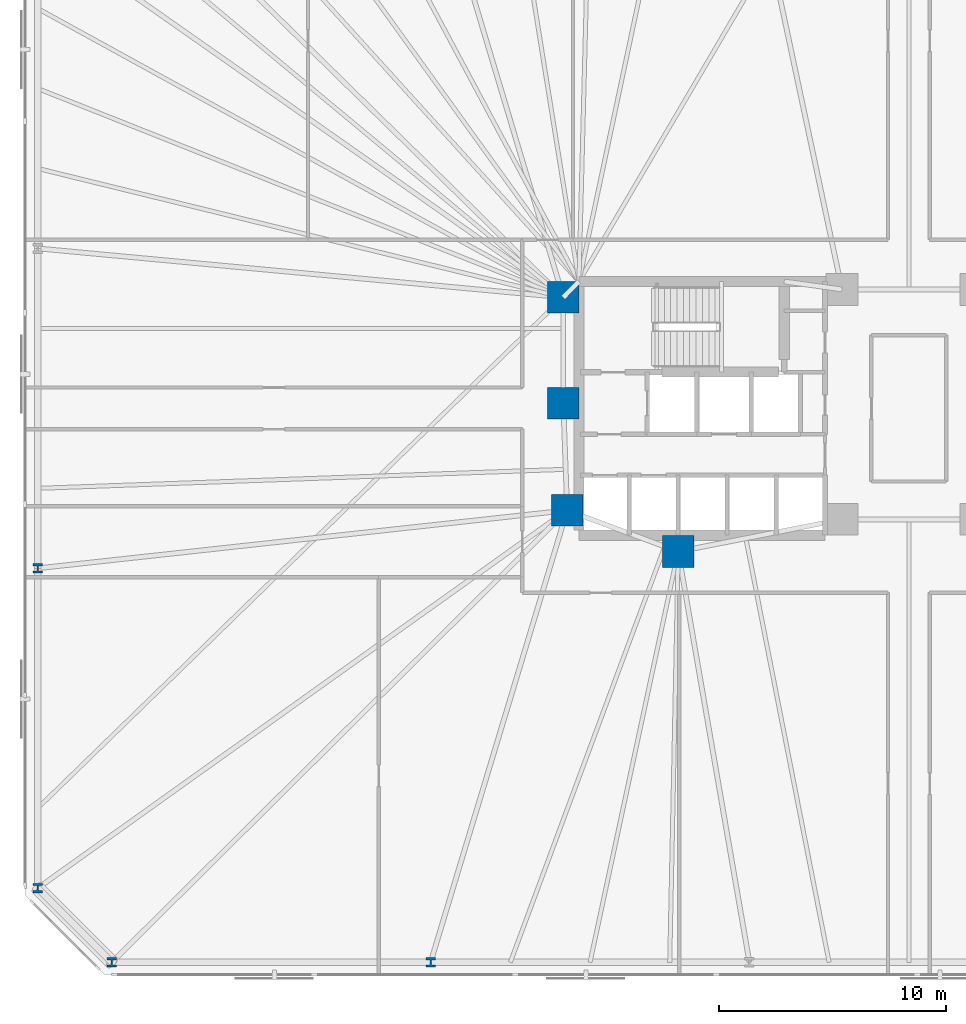
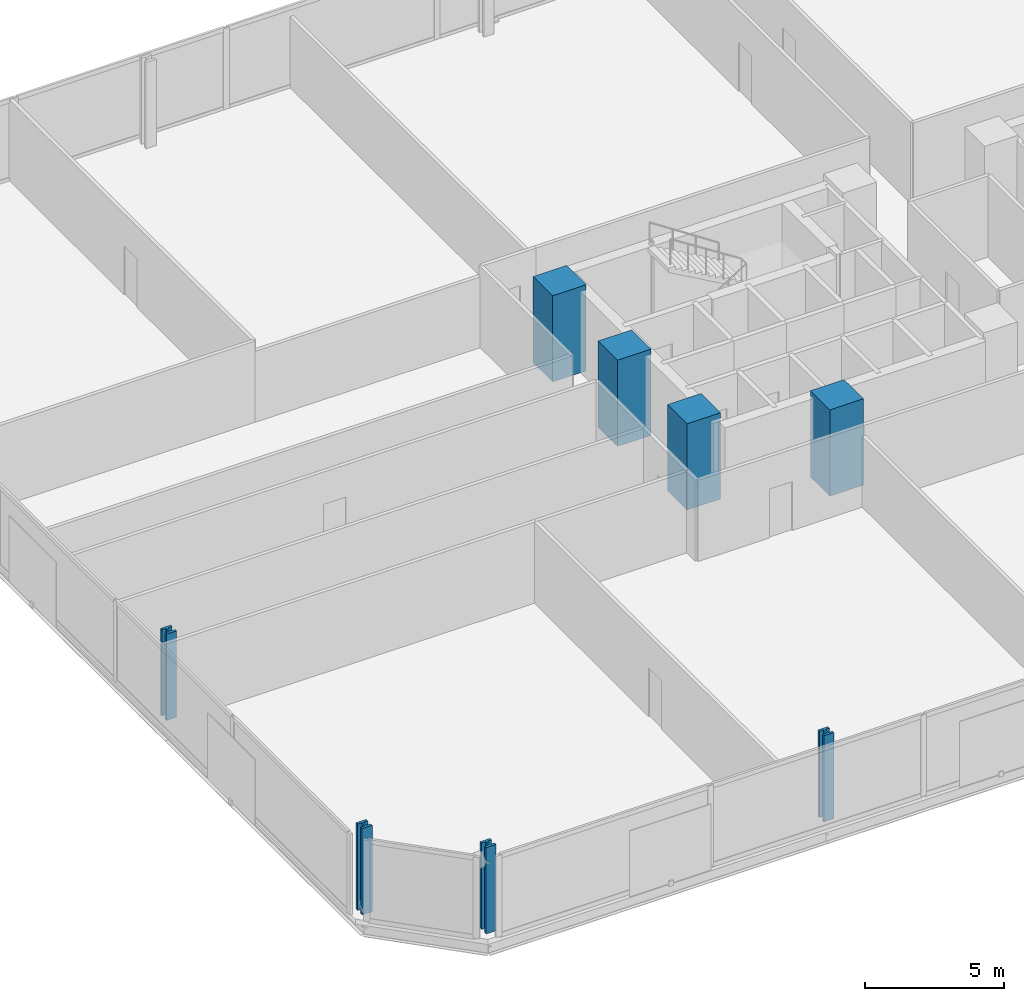
# One storey, part 1 of 17: 8 columns.
"""IFC4 building model written with IfcOpenShell, lengths in metres."""

from ifc_helpers import new_model, si_unit, direction, frame, origin, origin_2d, place, context, subcontext, project, spatial, rectangle, i_section, extrude, material, material_profile, profile_set, type_object, element, save


model = new_model("IFC4")

# Units and contexts
model_context = context("Model", 3, precision=1e-05, world=origin(), true_north=direction((0.0, 1.0)))
body_context = subcontext(model_context, "Body", "Model", "MODEL_VIEW")
ifc_project = project(units=[si_unit("LENGTHUNIT", "METRE"), si_unit("AREAUNIT", "SQUARE_METRE"), si_unit("VOLUMEUNIT", "CUBIC_METRE"), si_unit("PLANEANGLEUNIT", "RADIAN"), si_unit("MASSUNIT", "GRAM", prefix="KILO")], contexts=[model_context])

# Site, building, storey
site_placement = place(None, origin())
site = spatial("IfcSite", under=ifc_project, at=site_placement, CompositionType="ELEMENT")
building_placement = place(site_placement, origin())
building = spatial("IfcBuilding", under=site, at=building_placement, Name="Menara Jurai Vektor", CompositionType="ELEMENT")
storey_placement = place(building_placement, frame((0.0, 0.0, 44.60009765625)))
storey = spatial("IfcBuildingStorey", under=building, at=storey_placement, Name="L10", CompositionType="ELEMENT", Elevation=44.60009765625)

# Columns
ifc_material_1 = material(Name="Concrete C60/75", Category="concrete")
ifc_material_profile_1 = material_profile(ifc_material_1, rectangle(XDim=1.39990234375, YDim=1.39990234375, at=origin_2d()), Name="RC 1400x1400")
ifc_profile_set_1 = profile_set([ifc_material_profile_1], Name="Concrete C60/75")
column_type_1 = type_object("IfcColumnType", Name="STR-COL-RC1400", PredefinedType="COLUMN", material=ifc_profile_set_1)
for number, where, z_axis, x_axis, name in (
    (1, (-15.25, 4.89990234375, 0.0), (0.0, 0.0, 1.0), (1.0, 0.0, 0.0), "Core Spine Column CW-NW L10"),
    (2, (-15.25, 0.219970703125, 0.0), (0.0, 0.0, 1.0), (1.0, 0.0, 0.0), "Core Spine Column CW-WM L10"),
    (3, (-15.080078125, -4.5, 0.0), (0.0, 0.0, 1.0), (1.0, 0.0, 0.0), "Core Spine Column CW-SW L10"),
    (4, (-10.179931640625, -6.320068359375, 0.0), (0.0, 0.0, 1.0), (1.0, 0.0, 0.0), "Core Spine Column CW-SM L10"),
):
    element("IfcColumn", number, at=place(storey_placement, frame(where, z_axis=z_axis, x_axis=x_axis)), inside=storey, type_object=column_type_1, Name=name, PredefinedType="COLUMN", context=body_context, shape_type="SweptSolid", body=[
        extrude(rectangle(XDim=1.39990234375, YDim=1.39990234375, at=origin_2d()), origin(), (0.0, 0.0, 1.0), 3.7998046875),
    ])
ifc_material_2 = material(Name="Steel S460", Category="steel")
ifc_material_profile_2 = material_profile(ifc_material_2, i_section(OverallWidth=0.419921875, OverallDepth=0.430908203125, WebThickness=0.06494140625, FlangeThickness=0.10595703125, FilletRadius=0.014892578125, at=origin_2d()), Name="HD 400x900")
ifc_profile_set_2 = profile_set([ifc_material_profile_2], Name="Steel S460")
column_type_2 = type_object("IfcColumnType", Name="STR-EXO-BLK1", PredefinedType="COLUMN", material=ifc_profile_set_2)
for number, where, z_axis, x_axis, name in (
    (5, (-35.177734375, -24.449951171875, 0.0), (0.0, 0.0, 1.0), (1.0, 0.0, 0.0), "Exoskeleton Column BLK1-S1 L10"),
    (6, (-21.106689453125, -24.449951171875, 0.0), (0.0, 0.0, 1.0), (1.0, 0.0, 0.0), "Exoskeleton Column BLK1-S2 L10"),
    (7, (-38.449951171875, -7.059326171875, 0.0), (0.0, 0.0, 1.0), (1.0, 0.0, 0.0), "Exoskeleton Column BLK1-W3 L10"),
    (8, (-38.449951171875, -21.177734375, 0.0), (0.0, 0.0, 1.0), (1.0, 0.0, 0.0), "Exoskeleton Column BLK1-W4 L10"),
):
    element("IfcColumn", number, at=place(storey_placement, frame(where, z_axis=z_axis, x_axis=x_axis)), inside=storey, type_object=column_type_2, Name=name, PredefinedType="COLUMN", context=body_context, shape_type="SweptSolid", body=[
        extrude(i_section(OverallWidth=0.419921875, OverallDepth=0.430908203125, WebThickness=0.06494140625, FlangeThickness=0.10595703125, FilletRadius=0.014892578125, at=origin_2d()), origin(), (0.0, 0.0, 1.0), 3.7998046875),
    ])

save(model, "model.ifc")
